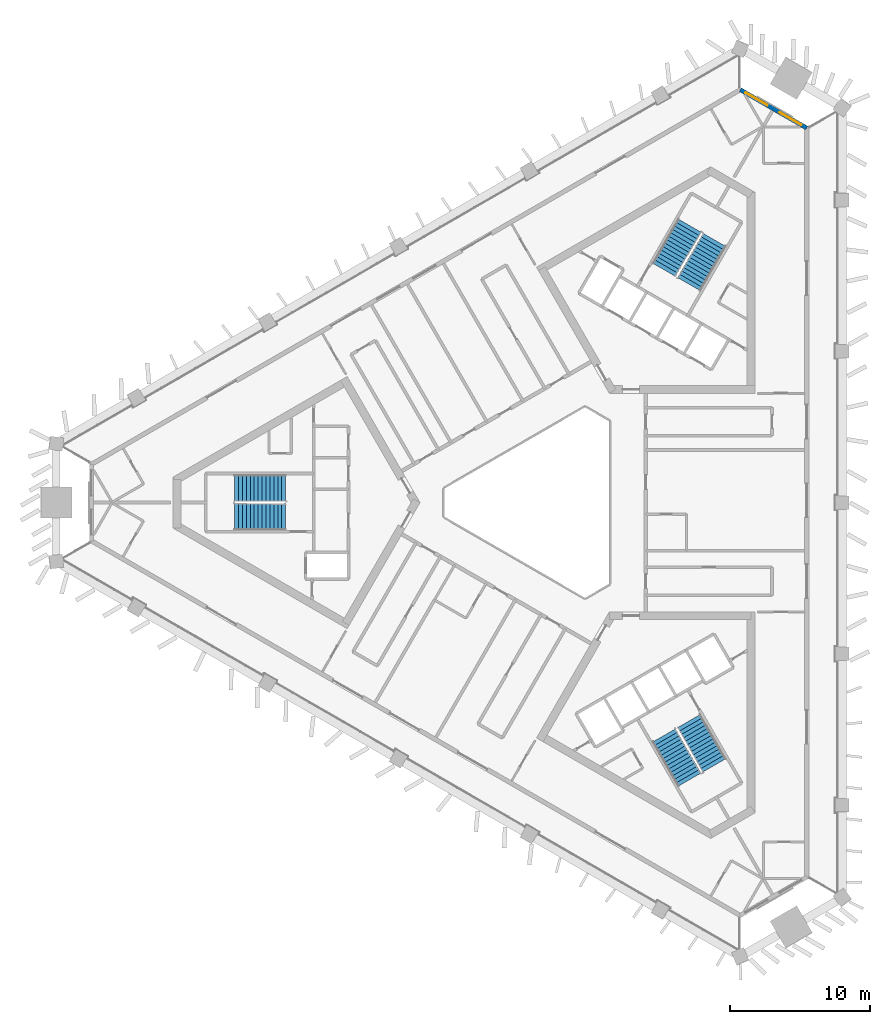
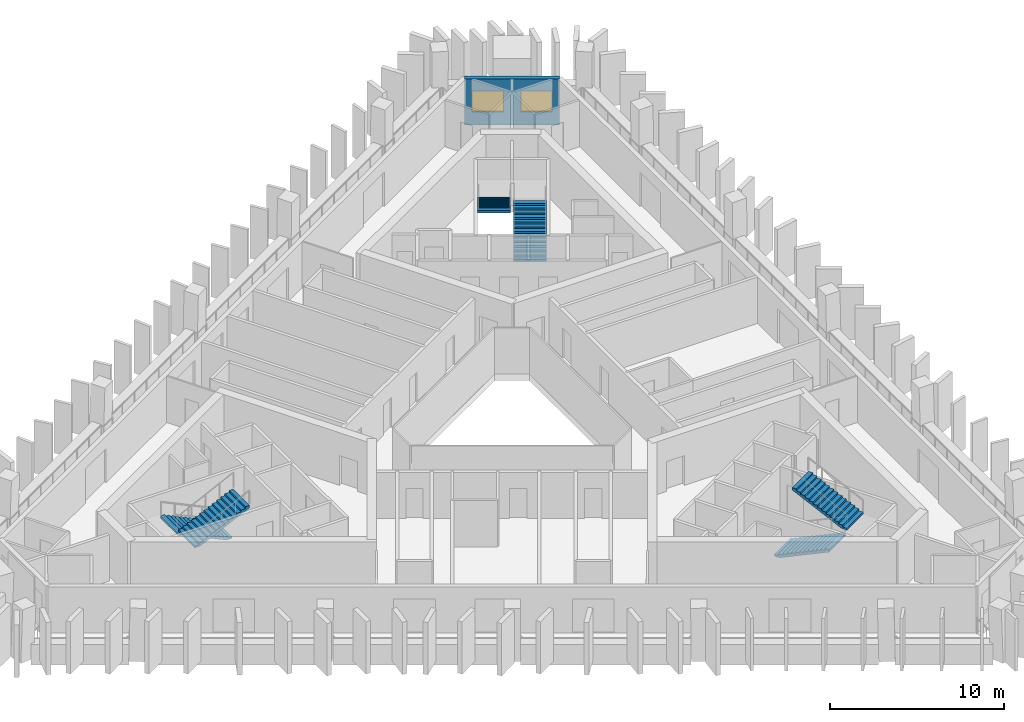
# One storey, part 7 of 10: 6 stair flights, 2 windows, 1 wall, 2 openings, 3 elements without a shape of their own.
"""IFC4 building model written with IfcOpenShell, lengths in metres."""

from ifc_helpers import new_model, si_unit, direction, frame, frame_2d, origin, place, context, subcontext, project, spatial, polyline, rectangle, outline, extrude, material, layer, layer_set, type_object, element, fill, aggregate, save


model = new_model("IFC4")

# Units and contexts
model_context = context("Model", 3, precision=1e-05, world=origin(), true_north=direction((0.0, 1.0)))
body_context = subcontext(model_context, "Body", "Model", "MODEL_VIEW")
ifc_project = project(units=[si_unit("LENGTHUNIT", "METRE"), si_unit("AREAUNIT", "SQUARE_METRE"), si_unit("VOLUMEUNIT", "CUBIC_METRE"), si_unit("PLANEANGLEUNIT", "RADIAN"), si_unit("MASSUNIT", "GRAM", prefix="KILO")], contexts=[model_context])

# Site, building, storey
site_placement = place(None, origin())
site = spatial("IfcSite", under=ifc_project, at=site_placement, CompositionType="ELEMENT")
building_placement = place(site_placement, origin())
building = spatial("IfcBuilding", under=site, at=building_placement, Name="Jabali Bay Hotel Tower and Convention Centre", CompositionType="ELEMENT")
storey_placement = place(building_placement, frame((0.0, 0.0, 174.800048828125)))
storey = spatial("IfcBuildingStorey", under=building, at=storey_placement, Name="L42", CompositionType="ELEMENT", Elevation=174.800048828125)

# Wall, openings, windows
ifc_material_1 = material(Name="Concrete C40", Category="concrete")
ifc_layer = layer(ifc_material_1, 0.300048828125)
ifc_layer_set = layer_set([ifc_layer], Name="Concrete C40")
wall_type = type_object("IfcWallType", Name="External wall 300", PredefinedType="SOLIDWALL", material=ifc_layer_set)
wall_placement = place(storey_placement, frame((88.843505859375, 109.44287109375, 0.0), z_axis=(0.0, 0.0, 1.0), x_axis=(0.866027138233, -0.499996995835, 0.0)))
wall = element("IfcWall", 1, at=wall_placement, inside=storey, type_object=wall_type, Name="External wall north-east chamfer L42", PredefinedType="SOLIDWALL", context=body_context, shape_type="SweptSolid", body=[
    extrude(rectangle(XDim=5.46533203125, YDim=0.300048828125, at=frame_2d((2.732666015625, 0.0))), origin(), (0.0, 0.0, 1.0), 3.25),
])
opening_1_placement = place(wall_placement, frame((3.239013671875, 0.0, 0.89990234375)))
opening_1 = element("IfcOpeningElement", 2, at=opening_1_placement, cuts=wall, Name="Opening W1", PredefinedType="OPENING", context=body_context, shape_type="SweptSolid", body=[
    extrude(rectangle(XDim=1.800048828125, YDim=1.5, at=frame_2d((0.89990234375, 0.75))), frame((0.0, 0.16064453125, 0.0), z_axis=(0.0, -1.0, 0.0), x_axis=(1.0, 0.0, 0.0)), (0.0, 0.0, 1.0), 0.321044921875),
])
opening_2_placement = place(wall_placement, frame((0.43212890625, 0.0, 0.89990234375)))
opening_2 = element("IfcOpeningElement", 3, at=opening_2_placement, cuts=wall, Name="Opening W1", PredefinedType="OPENING", context=body_context, shape_type="SweptSolid", body=[
    extrude(rectangle(XDim=1.800048828125, YDim=1.5, at=frame_2d((0.89990234375, 0.75))), frame((0.0, 0.16064453125, 0.0), z_axis=(0.0, -1.0, 0.0), x_axis=(1.0, 0.0, 0.0)), (0.0, 0.0, 1.0), 0.321044921875),
])
ifc_material_2 = material(Name="Glass", Category="glass")
window_type = type_object("IfcWindowType", Name="Window 1800 x 1500", PartitioningType="SINGLE_PANEL", PredefinedType="WINDOW", material=ifc_material_2)
window_1_placement = place(opening_1_placement, origin())
window_1 = element("IfcWindow", 4, at=window_1_placement, inside=storey, type_object=window_type, Name="Window 4204", OverallHeight=1.5, OverallWidth=1.800048828125, PartitioningType="SINGLE_PANEL", PredefinedType="WINDOW", context=body_context, shape_type="SweptSolid", body=[
    extrude(rectangle(XDim=1.800048828125, YDim=1.5, at=frame_2d((0.89990234375, 0.75))), frame((0.0, 0.030029296875, 0.0), z_axis=(0.0, -1.0, 0.0), x_axis=(1.0, 0.0, 0.0)), (0.0, 0.0, 1.0), 0.06005859375),
])
fill(opening_1, window_1)
window_2_placement = place(opening_2_placement, origin())
window_2 = element("IfcWindow", 5, at=window_2_placement, inside=storey, type_object=window_type, Name="Window 4206", OverallHeight=1.5, OverallWidth=1.800048828125, PartitioningType="SINGLE_PANEL", PredefinedType="WINDOW", context=body_context, shape_type="SweptSolid", body=[
    extrude(rectangle(XDim=1.800048828125, YDim=1.5, at=frame_2d((0.89990234375, 0.75))), frame((0.0, 0.030029296875, 0.0), z_axis=(0.0, -1.0, 0.0), x_axis=(1.0, 0.0, 0.0)), (0.0, 0.0, 1.0), 0.06005859375),
])
fill(opening_2, window_2)

# Stair, stair flights
stair_type = type_object("IfcStairType", Name="Exit stair 1900", PredefinedType="HALF_TURN_STAIR", material=ifc_material_1)
stair_1_placement = place(storey_placement, origin())
stair_1 = element("IfcStair", 6, at=stair_1_placement, inside=storey, type_object=stair_type, Name="L42 Exit Stair 1", PredefinedType="HALF_TURN_STAIR")
stair_flight_type = type_object("IfcStairFlightType", Name="Stair flight concrete 150", PredefinedType="STRAIGHT", material=ifc_material_1)
stair_flight_1_placement = place(storey_placement, frame((56.419921875, 81.02490234375, 0.0), z_axis=(0.0, 0.0, 1.0), x_axis=(-1.0, 0.0, 0.0)))
stair_flight_1 = element("IfcStairFlight", 7, at=stair_flight_1_placement, type_object=stair_flight_type, Name="ST1 flight 1", NumberOfRisers=14, NumberOfTreads=13, PredefinedType="STRAIGHT", RiserHeight=0.132142857, TreadLength=0.28, context=body_context, shape_type="SweptSolid", body=[
    extrude(outline(polyline([(0.0, 0.0), (0.0, 0.132080078125), (0.280029296875, 0.132080078125), (0.280029296875, 0.264404296875), (0.56005859375, 0.264404296875), (0.56005859375, 0.396484375), (0.840087890625, 0.396484375), (0.840087890625, 0.528564453125), (1.1201171875, 0.528564453125), (1.1201171875, 0.66064453125), (1.39990234375, 0.66064453125), (1.39990234375, 0.79296875), (1.679931640625, 0.79296875), (1.679931640625, 0.925048828125), (1.9599609375, 0.925048828125), (1.9599609375, 1.05712890625), (2.239990234375, 1.05712890625), (2.239990234375, 1.189208984375), (2.52001953125, 1.189208984375), (2.52001953125, 1.321533203125), (2.800048828125, 1.321533203125), (2.800048828125, 1.45361328125), (3.080078125, 1.45361328125), (3.080078125, 1.585693359375), (3.360107421875, 1.585693359375), (3.360107421875, 1.7177734375), (3.639892578125, 1.7177734375), (3.639892578125, 1.85009765625), (3.639892578125, 1.552001953125), (0.351318359375, 0.0), (0.0, 0.0)])), frame((0.0, 0.949951171875, 0.0), z_axis=(0.0, -1.0, 0.0), x_axis=(1.0, 0.0, 0.0)), (0.0, 0.0, 1.0), 1.89990234375),
])
stair_flight_2_placement = place(storey_placement, frame((52.780029296875, 78.97509765625, 1.849853515625), z_axis=(0.0, 0.0, 1.0), x_axis=(1.0, 0.0, 0.0)))
stair_flight_2 = element("IfcStairFlight", 8, at=stair_flight_2_placement, type_object=stair_flight_type, Name="ST1 flight 2", NumberOfRisers=14, NumberOfTreads=13, PredefinedType="STRAIGHT", RiserHeight=0.132142857, TreadLength=0.28, context=body_context, shape_type="SweptSolid", body=[
    extrude(outline(polyline([(0.0, 0.0), (0.0, 0.132080078125), (0.280029296875, 0.132080078125), (0.280029296875, 0.264404296875), (0.56005859375, 0.264404296875), (0.56005859375, 0.396484375), (0.840087890625, 0.396484375), (0.840087890625, 0.528564453125), (1.1201171875, 0.528564453125), (1.1201171875, 0.66064453125), (1.39990234375, 0.66064453125), (1.39990234375, 0.79296875), (1.679931640625, 0.79296875), (1.679931640625, 0.925048828125), (1.9599609375, 0.925048828125), (1.9599609375, 1.05712890625), (2.239990234375, 1.05712890625), (2.239990234375, 1.189208984375), (2.52001953125, 1.189208984375), (2.52001953125, 1.321533203125), (2.800048828125, 1.321533203125), (2.800048828125, 1.45361328125), (3.080078125, 1.45361328125), (3.080078125, 1.585693359375), (3.360107421875, 1.585693359375), (3.360107421875, 1.7177734375), (3.639892578125, 1.7177734375), (3.639892578125, 1.85009765625), (3.639892578125, 1.552001953125), (0.351318359375, 0.0), (0.0, 0.0)])), frame((0.0, 0.949951171875, 0.0), z_axis=(0.0, -1.0, 0.0), x_axis=(1.0, 0.0, 0.0)), (0.0, 0.0, 1.0), 1.89990234375),
])
aggregate(stair_1, [stair_flight_1, stair_flight_2])

stair_2_placement = place(storey_placement, origin())
stair_2 = element("IfcStair", 9, at=stair_2_placement, inside=storey, type_object=stair_type, Name="L42 Exit Stair 2", PredefinedType="HALF_TURN_STAIR")
stair_flight_3_placement = place(storey_placement, frame((85.177734375, 95.578369140625, 0.0), z_axis=(0.0, 0.0, 1.0), x_axis=(0.5, 0.866025403784, 0.0)))
stair_flight_3 = element("IfcStairFlight", 10, at=stair_flight_3_placement, type_object=stair_flight_type, Name="ST2 flight 1", NumberOfRisers=14, NumberOfTreads=13, PredefinedType="STRAIGHT", RiserHeight=0.132142857, TreadLength=0.28, context=body_context, shape_type="SweptSolid", body=[
    extrude(outline(polyline([(0.0, 0.0), (0.0, 0.132080078125), (0.280029296875, 0.132080078125), (0.280029296875, 0.264404296875), (0.56005859375, 0.264404296875), (0.56005859375, 0.396484375), (0.840087890625, 0.396484375), (0.840087890625, 0.528564453125), (1.1201171875, 0.528564453125), (1.1201171875, 0.66064453125), (1.39990234375, 0.66064453125), (1.39990234375, 0.79296875), (1.679931640625, 0.79296875), (1.679931640625, 0.925048828125), (1.9599609375, 0.925048828125), (1.9599609375, 1.05712890625), (2.239990234375, 1.05712890625), (2.239990234375, 1.189208984375), (2.52001953125, 1.189208984375), (2.52001953125, 1.321533203125), (2.800048828125, 1.321533203125), (2.800048828125, 1.45361328125), (3.080078125, 1.45361328125), (3.080078125, 1.585693359375), (3.360107421875, 1.585693359375), (3.360107421875, 1.7177734375), (3.639892578125, 1.7177734375), (3.639892578125, 1.85009765625), (3.639892578125, 1.552001953125), (0.351318359375, 0.0), (0.0, 0.0)])), frame((0.0, 0.949951171875, 0.0), z_axis=(0.0, -1.0, 0.0), x_axis=(1.0, 0.0, 0.0)), (0.0, 0.0, 1.0), 1.89990234375),
])
stair_flight_4_placement = place(storey_placement, frame((85.222412109375, 99.755615234375, 1.849853515625), z_axis=(0.0, 0.0, 1.0), x_axis=(-0.5, -0.866025403784, 0.0)))
stair_flight_4 = element("IfcStairFlight", 11, at=stair_flight_4_placement, type_object=stair_flight_type, Name="ST2 flight 2", NumberOfRisers=14, NumberOfTreads=13, PredefinedType="STRAIGHT", RiserHeight=0.132142857, TreadLength=0.28, context=body_context, shape_type="SweptSolid", body=[
    extrude(outline(polyline([(0.0, 0.0), (0.0, 0.132080078125), (0.280029296875, 0.132080078125), (0.280029296875, 0.264404296875), (0.56005859375, 0.264404296875), (0.56005859375, 0.396484375), (0.840087890625, 0.396484375), (0.840087890625, 0.528564453125), (1.1201171875, 0.528564453125), (1.1201171875, 0.66064453125), (1.39990234375, 0.66064453125), (1.39990234375, 0.79296875), (1.679931640625, 0.79296875), (1.679931640625, 0.925048828125), (1.9599609375, 0.925048828125), (1.9599609375, 1.05712890625), (2.239990234375, 1.05712890625), (2.239990234375, 1.189208984375), (2.52001953125, 1.189208984375), (2.52001953125, 1.321533203125), (2.800048828125, 1.321533203125), (2.800048828125, 1.45361328125), (3.080078125, 1.45361328125), (3.080078125, 1.585693359375), (3.360107421875, 1.585693359375), (3.360107421875, 1.7177734375), (3.639892578125, 1.7177734375), (3.639892578125, 1.85009765625), (3.639892578125, 1.552001953125), (0.351318359375, 0.0), (0.0, 0.0)])), frame((0.0, 0.949951171875, 0.0), z_axis=(0.0, -1.0, 0.0), x_axis=(1.0, 0.0, 0.0)), (0.0, 0.0, 1.0), 1.89990234375),
])
aggregate(stair_2, [stair_flight_3, stair_flight_4])

stair_3_placement = place(storey_placement, origin())
stair_3 = element("IfcStair", 12, at=stair_3_placement, inside=storey, type_object=stair_type, Name="L42 Exit Stair 3", PredefinedType="HALF_TURN_STAIR")
stair_flight_5_placement = place(storey_placement, frame((83.40234375, 63.396728515625, 0.0), z_axis=(0.0, 0.0, 1.0), x_axis=(0.5, -0.866025403784, 0.0)))
stair_flight_5 = element("IfcStairFlight", 13, at=stair_flight_5_placement, type_object=stair_flight_type, Name="ST3 flight 1", NumberOfRisers=14, NumberOfTreads=13, PredefinedType="STRAIGHT", RiserHeight=0.132142857, TreadLength=0.28, context=body_context, shape_type="SweptSolid", body=[
    extrude(outline(polyline([(0.0, 0.0), (0.0, 0.132080078125), (0.280029296875, 0.132080078125), (0.280029296875, 0.264404296875), (0.56005859375, 0.264404296875), (0.56005859375, 0.396484375), (0.840087890625, 0.396484375), (0.840087890625, 0.528564453125), (1.1201171875, 0.528564453125), (1.1201171875, 0.66064453125), (1.39990234375, 0.66064453125), (1.39990234375, 0.79296875), (1.679931640625, 0.79296875), (1.679931640625, 0.925048828125), (1.9599609375, 0.925048828125), (1.9599609375, 1.05712890625), (2.239990234375, 1.05712890625), (2.239990234375, 1.189208984375), (2.52001953125, 1.189208984375), (2.52001953125, 1.321533203125), (2.800048828125, 1.321533203125), (2.800048828125, 1.45361328125), (3.080078125, 1.45361328125), (3.080078125, 1.585693359375), (3.360107421875, 1.585693359375), (3.360107421875, 1.7177734375), (3.639892578125, 1.7177734375), (3.639892578125, 1.85009765625), (3.639892578125, 1.552001953125), (0.351318359375, 0.0), (0.0, 0.0)])), frame((0.0, 0.949951171875, 0.0), z_axis=(0.0, -1.0, 0.0), x_axis=(1.0, 0.0, 0.0)), (0.0, 0.0, 1.0), 1.89990234375),
])
stair_flight_6_placement = place(storey_placement, frame((86.99755859375, 61.26953125, 1.849853515625), z_axis=(0.0, 0.0, 1.0), x_axis=(-0.5, 0.866025403784, 0.0)))
stair_flight_6 = element("IfcStairFlight", 14, at=stair_flight_6_placement, type_object=stair_flight_type, Name="ST3 flight 2", NumberOfRisers=14, NumberOfTreads=13, PredefinedType="STRAIGHT", RiserHeight=0.132142857, TreadLength=0.28, context=body_context, shape_type="SweptSolid", body=[
    extrude(outline(polyline([(0.0, 0.0), (0.0, 0.132080078125), (0.280029296875, 0.132080078125), (0.280029296875, 0.264404296875), (0.56005859375, 0.264404296875), (0.56005859375, 0.396484375), (0.840087890625, 0.396484375), (0.840087890625, 0.528564453125), (1.1201171875, 0.528564453125), (1.1201171875, 0.66064453125), (1.39990234375, 0.66064453125), (1.39990234375, 0.79296875), (1.679931640625, 0.79296875), (1.679931640625, 0.925048828125), (1.9599609375, 0.925048828125), (1.9599609375, 1.05712890625), (2.239990234375, 1.05712890625), (2.239990234375, 1.189208984375), (2.52001953125, 1.189208984375), (2.52001953125, 1.321533203125), (2.800048828125, 1.321533203125), (2.800048828125, 1.45361328125), (3.080078125, 1.45361328125), (3.080078125, 1.585693359375), (3.360107421875, 1.585693359375), (3.360107421875, 1.7177734375), (3.639892578125, 1.7177734375), (3.639892578125, 1.85009765625), (3.639892578125, 1.552001953125), (0.351318359375, 0.0), (0.0, 0.0)])), frame((0.0, 0.949951171875, 0.0), z_axis=(0.0, -1.0, 0.0), x_axis=(1.0, 0.0, 0.0)), (0.0, 0.0, 1.0), 1.89990234375),
])
aggregate(stair_3, [stair_flight_5, stair_flight_6])

save(model, "model.ifc")
